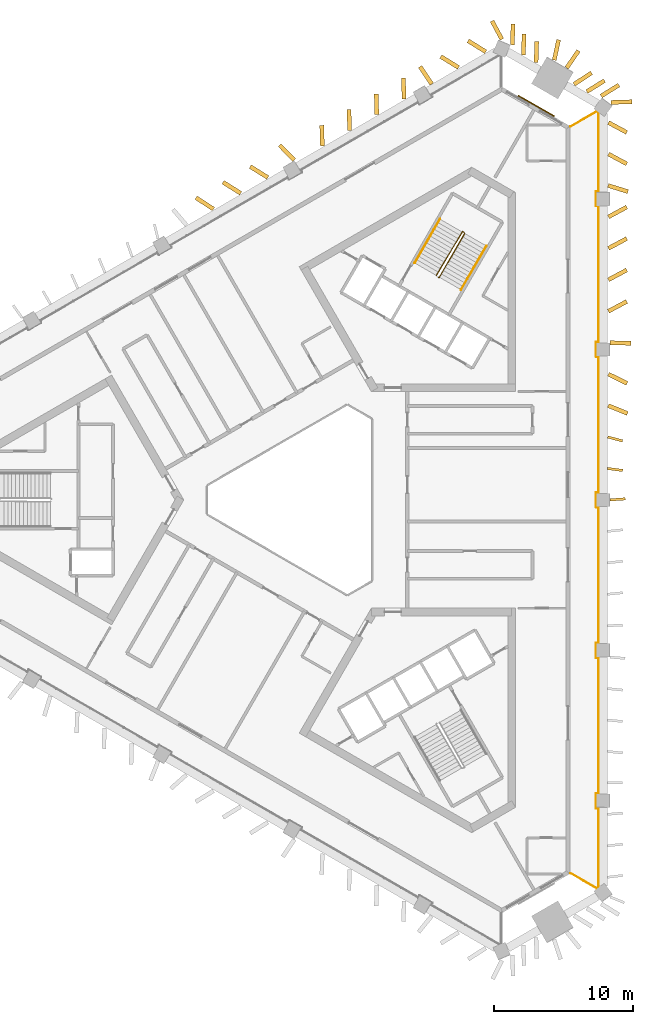
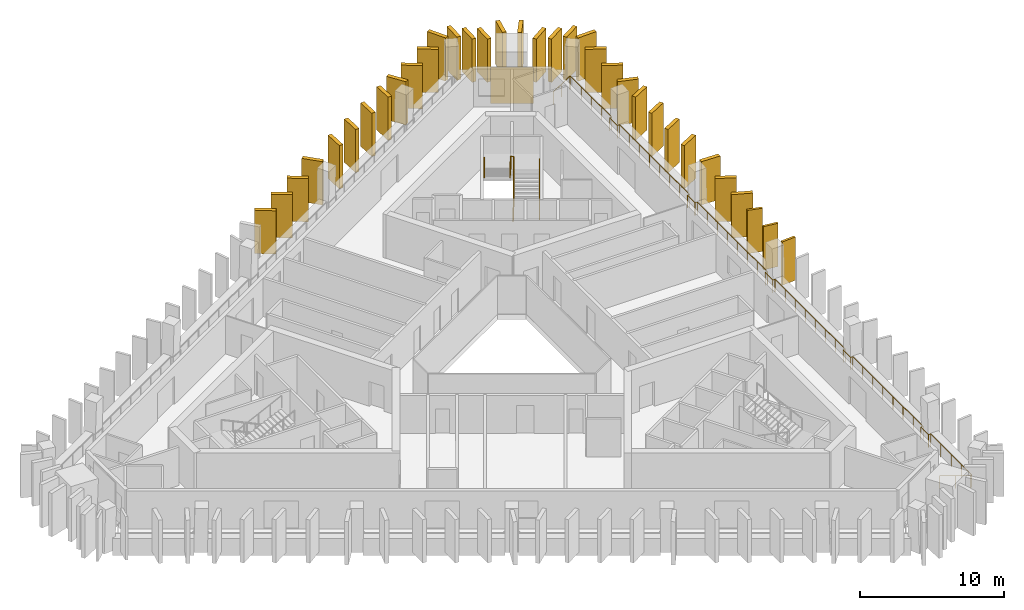
# One storey, part 9 of 9: 34 shading devices, 4 railings, 1 covering.
"""IFC4 building model written with IfcOpenShell, lengths in metres."""

from ifc_helpers import new_model, si_unit, direction, frame, frame_2d, origin, origin_2d, place, context, subcontext, project, spatial, rectangle, circle, extrude, material, layer, layer_set, type_object, element, save


model = new_model("IFC4")

# Units and contexts
model_context = context("Model", 3, precision=1e-05, world=origin(), true_north=direction((0.0, 1.0)))
body_context = subcontext(model_context, "Body", "Model", "MODEL_VIEW")
ifc_project = project(units=[si_unit("LENGTHUNIT", "METRE"), si_unit("AREAUNIT", "SQUARE_METRE"), si_unit("VOLUMEUNIT", "CUBIC_METRE"), si_unit("PLANEANGLEUNIT", "RADIAN"), si_unit("MASSUNIT", "GRAM", prefix="KILO")], contexts=[model_context])

# Site, building, storey
site_placement = place(None, origin())
site = spatial("IfcSite", under=ifc_project, at=site_placement, CompositionType="ELEMENT")
building_placement = place(site_placement, origin())
building = spatial("IfcBuilding", under=site, at=building_placement, Name="Jabali Bay Hotel Tower and Convention Centre", CompositionType="ELEMENT")
storey_placement = place(building_placement, frame((0.0, 0.0, 171.10009765625)))
storey = spatial("IfcBuildingStorey", under=building, at=storey_placement, Name="L41", CompositionType="ELEMENT", Elevation=171.10009765625)

# Railing
ifc_material_1 = material(Name="Glass", Category="glass")
railing_type_1 = type_object("IfcRailingType", Name="Loggia glass guard 1100", PredefinedType="BALUSTRADE", material=ifc_material_1)
railing_1_placement = place(storey_placement, frame((93.851318359375, 106.875244140625, 0.0)))
element("IfcRailing", 1, at=railing_1_placement, inside=storey, type_object=railing_type_1, Name="Loggia glass guard L41", PredefinedType="BALUSTRADE", context=body_context, shape_type="SweptSolid", body=[
    extrude(circle(Radius=0.02490234375, at=origin_2d()), frame((0.0, 0.0, 1.0751953125), z_axis=(0.866035418383, 0.499982653806, 0.0), x_axis=(-0.495705232892, 0.858626365323, 0.13052619222)), (0.0, 0.0, 1.0), 2.19287109375),
    extrude(circle(Radius=0.02490234375, at=origin_2d()), frame((1.899169921875, 1.096435546875, 1.0751953125), z_axis=(0.799767562016, -0.600309792313, 0.0), x_axis=(0.595174058821, 0.792925439655, 0.13052619222)), (0.0, 0.0, 1.0), 0.1259765625),
    extrude(circle(Radius=0.02490234375, at=origin_2d()), frame((2.0, 1.020751953125, 1.0751953125), z_axis=(0.0, -1.0, 0.0), x_axis=(0.991444861374, 0.0, 0.13052619222)), (0.0, 0.0, 1.0), 5.700439453125),
    extrude(circle(Radius=0.02490234375, at=origin_2d()), frame((2.0, -4.6796875, 1.0751953125), z_axis=(-1.0, 0.0, 0.0), x_axis=(0.0, -0.991444861374, 0.13052619222)), (0.0, 0.0, 1.0), 0.175048828125),
    extrude(circle(Radius=0.02490234375, at=origin_2d()), frame((1.824951171875, -4.6796875, 1.0751953125), z_axis=(0.0, -1.0, 0.0), x_axis=(0.991444861374, 0.0, 0.13052619222)), (0.0, 0.0, 1.0), 1.050048828125),
    extrude(circle(Radius=0.02490234375, at=origin_2d()), frame((1.824951171875, -5.729736328125, 1.0751953125), z_axis=(1.0, 0.0, 0.0), x_axis=(0.0, 0.991444861374, 0.13052619222)), (0.0, 0.0, 1.0), 0.175048828125),
    extrude(circle(Radius=0.02490234375, at=origin_2d()), frame((2.0, -5.729736328125, 1.0751953125), z_axis=(0.0, -1.0, 0.0), x_axis=(0.991444861374, 0.0, 0.13052619222)), (0.0, 0.0, 1.0), 9.78515625),
    extrude(circle(Radius=0.02490234375, at=origin_2d()), frame((2.0, -15.514892578125, 1.0751953125), z_axis=(-1.0, 0.0, 0.0), x_axis=(0.0, -0.991444861374, 0.13052619222)), (0.0, 0.0, 1.0), 0.175048828125),
    extrude(circle(Radius=0.02490234375, at=origin_2d()), frame((1.824951171875, -15.514892578125, 1.0751953125), z_axis=(0.0, -1.0, 0.0), x_axis=(0.991444861374, 0.0, 0.13052619222)), (0.0, 0.0, 1.0), 1.050048828125),
    extrude(circle(Radius=0.02490234375, at=origin_2d()), frame((1.824951171875, -16.56494140625, 1.0751953125), z_axis=(1.0, 0.0, 0.0), x_axis=(0.0, 0.991444861374, 0.13052619222)), (0.0, 0.0, 1.0), 0.175048828125),
    extrude(circle(Radius=0.02490234375, at=origin_2d()), frame((2.0, -16.56494140625, 1.0751953125), z_axis=(0.0, -1.0, 0.0), x_axis=(0.991444861374, 0.0, 0.13052619222)), (0.0, 0.0, 1.0), 9.785400390625),
    extrude(circle(Radius=0.02490234375, at=origin_2d()), frame((2.0, -26.350341796875, 1.0751953125), z_axis=(-1.0, 0.0, 0.0), x_axis=(0.0, -0.991444861374, 0.13052619222)), (0.0, 0.0, 1.0), 0.175048828125),
    extrude(circle(Radius=0.02490234375, at=origin_2d()), frame((1.824951171875, -26.350341796875, 1.0751953125), z_axis=(0.0, -1.0, 0.0), x_axis=(0.991444861374, 0.0, 0.13052619222)), (0.0, 0.0, 1.0), 1.0498046875),
    extrude(circle(Radius=0.02490234375, at=origin_2d()), frame((1.824951171875, -27.400146484375, 1.0751953125), z_axis=(1.0, 0.0, 0.0), x_axis=(0.0, 0.991444861374, 0.13052619222)), (0.0, 0.0, 1.0), 0.175048828125),
    extrude(circle(Radius=0.02490234375, at=origin_2d()), frame((2.0, -27.400146484375, 1.0751953125), z_axis=(0.0, -1.0, 0.0), x_axis=(0.991444861374, 0.0, 0.13052619222)), (0.0, 0.0, 1.0), 9.785400390625),
    extrude(circle(Radius=0.02490234375, at=origin_2d()), frame((2.0, -37.185546875, 1.0751953125), z_axis=(-1.0, 0.0, 0.0), x_axis=(0.0, -0.991444861374, 0.13052619222)), (0.0, 0.0, 1.0), 0.175048828125),
    extrude(circle(Radius=0.02490234375, at=origin_2d()), frame((1.824951171875, -37.185546875, 1.0751953125), z_axis=(0.0, -1.0, 0.0), x_axis=(0.991444861374, 0.0, 0.13052619222)), (0.0, 0.0, 1.0), 1.050048828125),
    extrude(circle(Radius=0.02490234375, at=origin_2d()), frame((1.824951171875, -38.235595703125, 1.0751953125), z_axis=(1.0, 0.0, 0.0), x_axis=(0.0, 0.991444861374, 0.13052619222)), (0.0, 0.0, 1.0), 0.175048828125),
    extrude(circle(Radius=0.02490234375, at=origin_2d()), frame((2.0, -38.235595703125, 1.0751953125), z_axis=(0.0, -1.0, 0.0), x_axis=(0.991444861374, 0.0, 0.13052619222)), (0.0, 0.0, 1.0), 9.78515625),
    extrude(circle(Radius=0.02490234375, at=origin_2d()), frame((2.0, -48.020751953125, 1.0751953125), z_axis=(-1.0, 0.0, 0.0), x_axis=(0.0, -0.991444861374, 0.13052619222)), (0.0, 0.0, 1.0), 0.175048828125),
    extrude(circle(Radius=0.02490234375, at=origin_2d()), frame((1.824951171875, -48.020751953125, 1.0751953125), z_axis=(0.0, -1.0, 0.0), x_axis=(0.991444861374, 0.0, 0.13052619222)), (0.0, 0.0, 1.0), 1.050048828125),
    extrude(circle(Radius=0.02490234375, at=origin_2d()), frame((1.824951171875, -49.07080078125, 1.0751953125), z_axis=(1.0, 0.0, 0.0), x_axis=(0.0, 0.991444861374, 0.13052619222)), (0.0, 0.0, 1.0), 0.175048828125),
    extrude(circle(Radius=0.02490234375, at=origin_2d()), frame((2.0, -49.07080078125, 1.0751953125), z_axis=(0.0, -1.0, 0.0), x_axis=(0.991444861374, 0.0, 0.13052619222)), (0.0, 0.0, 1.0), 5.700439453125),
    extrude(circle(Radius=0.02490234375, at=origin_2d()), frame((2.0, -54.771240234375, 1.0751953125), z_axis=(-0.799767562016, -0.600309792313, 0.0), x_axis=(0.595174058821, -0.792925439655, 0.13052619222)), (0.0, 0.0, 1.0), 0.1259765625),
    extrude(circle(Radius=0.02490234375, at=origin_2d()), frame((1.899169921875, -54.846923828125, 1.0751953125), z_axis=(-0.866035418383, 0.499982653806, 0.0), x_axis=(-0.495705232892, -0.858626365323, 0.13052619222)), (0.0, 0.0, 1.0), 2.19287109375),
    extrude(circle(Radius=0.02001953125, at=origin_2d()), origin(), (0.0, 0.0, 1.0), 1.050048828125),
    extrude(circle(Radius=0.02001953125, at=origin_2d()), frame((0.94970703125, 0.54833984375, 0.0)), (0.0, 0.0, 1.0), 1.050048828125),
    extrude(circle(Radius=0.02001953125, at=origin_2d()), frame((1.899169921875, 1.096435546875, 0.0)), (0.0, 0.0, 1.0), 1.050048828125),
    extrude(circle(Radius=0.02001953125, at=origin_2d()), frame((2.0, 1.020751953125, 0.0)), (0.0, 0.0, 1.0), 1.050048828125),
    extrude(circle(Radius=0.02001953125, at=origin_2d()), frame((2.0, -0.404296875, 0.0)), (0.0, 0.0, 1.0), 1.050048828125),
    extrude(circle(Radius=0.02001953125, at=origin_2d()), frame((2.0, -1.82958984375, 0.0)), (0.0, 0.0, 1.0), 1.050048828125),
    extrude(circle(Radius=0.02001953125, at=origin_2d()), frame((2.0, -3.254638671875, 0.0)), (0.0, 0.0, 1.0), 1.050048828125),
    extrude(circle(Radius=0.02001953125, at=origin_2d()), frame((2.0, -4.6796875, 0.0)), (0.0, 0.0, 1.0), 1.050048828125),
    extrude(circle(Radius=0.02001953125, at=origin_2d()), frame((1.824951171875, -4.6796875, 0.0)), (0.0, 0.0, 1.0), 1.050048828125),
    extrude(circle(Radius=0.02001953125, at=origin_2d()), frame((1.824951171875, -5.729736328125, 0.0)), (0.0, 0.0, 1.0), 1.050048828125),
    extrude(circle(Radius=0.02001953125, at=origin_2d()), frame((2.0, -5.729736328125, 0.0)), (0.0, 0.0, 1.0), 1.050048828125),
    extrude(circle(Radius=0.02001953125, at=origin_2d()), frame((2.0, -7.127685546875, 0.0)), (0.0, 0.0, 1.0), 1.050048828125),
    extrude(circle(Radius=0.02001953125, at=origin_2d()), frame((2.0, -8.525390625, 0.0)), (0.0, 0.0, 1.0), 1.050048828125),
    extrude(circle(Radius=0.02001953125, at=origin_2d()), frame((2.0, -9.92333984375, 0.0)), (0.0, 0.0, 1.0), 1.050048828125),
    extrude(circle(Radius=0.02001953125, at=origin_2d()), frame((2.0, -11.3212890625, 0.0)), (0.0, 0.0, 1.0), 1.050048828125),
    extrude(circle(Radius=0.02001953125, at=origin_2d()), frame((2.0, -12.71923828125, 0.0)), (0.0, 0.0, 1.0), 1.050048828125),
    extrude(circle(Radius=0.02001953125, at=origin_2d()), frame((2.0, -14.116943359375, 0.0)), (0.0, 0.0, 1.0), 1.050048828125),
    extrude(circle(Radius=0.02001953125, at=origin_2d()), frame((2.0, -15.514892578125, 0.0)), (0.0, 0.0, 1.0), 1.050048828125),
    extrude(circle(Radius=0.02001953125, at=origin_2d()), frame((1.824951171875, -15.514892578125, 0.0)), (0.0, 0.0, 1.0), 1.050048828125),
    extrude(circle(Radius=0.02001953125, at=origin_2d()), frame((1.824951171875, -16.56494140625, 0.0)), (0.0, 0.0, 1.0), 1.050048828125),
    extrude(circle(Radius=0.02001953125, at=origin_2d()), frame((2.0, -16.56494140625, 0.0)), (0.0, 0.0, 1.0), 1.050048828125),
    extrude(circle(Radius=0.02001953125, at=origin_2d()), frame((2.0, -17.962890625, 0.0)), (0.0, 0.0, 1.0), 1.050048828125),
    extrude(circle(Radius=0.02001953125, at=origin_2d()), frame((2.0, -19.36083984375, 0.0)), (0.0, 0.0, 1.0), 1.050048828125),
    extrude(circle(Radius=0.02001953125, at=origin_2d()), frame((2.0, -20.7587890625, 0.0)), (0.0, 0.0, 1.0), 1.050048828125),
    extrude(circle(Radius=0.02001953125, at=origin_2d()), frame((2.0, -22.156494140625, 0.0)), (0.0, 0.0, 1.0), 1.050048828125),
    extrude(circle(Radius=0.02001953125, at=origin_2d()), frame((2.0, -23.554443359375, 0.0)), (0.0, 0.0, 1.0), 1.050048828125),
    extrude(circle(Radius=0.02001953125, at=origin_2d()), frame((2.0, -24.952392578125, 0.0)), (0.0, 0.0, 1.0), 1.050048828125),
    extrude(circle(Radius=0.02001953125, at=origin_2d()), frame((2.0, -26.350341796875, 0.0)), (0.0, 0.0, 1.0), 1.050048828125),
    extrude(circle(Radius=0.02001953125, at=origin_2d()), frame((1.824951171875, -26.350341796875, 0.0)), (0.0, 0.0, 1.0), 1.050048828125),
    extrude(circle(Radius=0.02001953125, at=origin_2d()), frame((1.824951171875, -27.400146484375, 0.0)), (0.0, 0.0, 1.0), 1.050048828125),
    extrude(circle(Radius=0.02001953125, at=origin_2d()), frame((2.0, -27.400146484375, 0.0)), (0.0, 0.0, 1.0), 1.050048828125),
    extrude(circle(Radius=0.02001953125, at=origin_2d()), frame((2.0, -28.798095703125, 0.0)), (0.0, 0.0, 1.0), 1.050048828125),
    extrude(circle(Radius=0.02001953125, at=origin_2d()), frame((2.0, -30.196044921875, 0.0)), (0.0, 0.0, 1.0), 1.050048828125),
    extrude(circle(Radius=0.02001953125, at=origin_2d()), frame((2.0, -31.593994140625, 0.0)), (0.0, 0.0, 1.0), 1.050048828125),
    extrude(circle(Radius=0.02001953125, at=origin_2d()), frame((2.0, -32.99169921875, 0.0)), (0.0, 0.0, 1.0), 1.050048828125),
    extrude(circle(Radius=0.02001953125, at=origin_2d()), frame((2.0, -34.3896484375, 0.0)), (0.0, 0.0, 1.0), 1.050048828125),
    extrude(circle(Radius=0.02001953125, at=origin_2d()), frame((2.0, -35.78759765625, 0.0)), (0.0, 0.0, 1.0), 1.050048828125),
    extrude(circle(Radius=0.02001953125, at=origin_2d()), frame((2.0, -37.185546875, 0.0)), (0.0, 0.0, 1.0), 1.050048828125),
    extrude(circle(Radius=0.02001953125, at=origin_2d()), frame((1.824951171875, -37.185546875, 0.0)), (0.0, 0.0, 1.0), 1.050048828125),
    extrude(circle(Radius=0.02001953125, at=origin_2d()), frame((1.824951171875, -38.235595703125, 0.0)), (0.0, 0.0, 1.0), 1.050048828125),
    extrude(circle(Radius=0.02001953125, at=origin_2d()), frame((2.0, -38.235595703125, 0.0)), (0.0, 0.0, 1.0), 1.050048828125),
    extrude(circle(Radius=0.02001953125, at=origin_2d()), frame((2.0, -39.633544921875, 0.0)), (0.0, 0.0, 1.0), 1.050048828125),
    extrude(circle(Radius=0.02001953125, at=origin_2d()), frame((2.0, -41.03125, 0.0)), (0.0, 0.0, 1.0), 1.050048828125),
    extrude(circle(Radius=0.02001953125, at=origin_2d()), frame((2.0, -42.42919921875, 0.0)), (0.0, 0.0, 1.0), 1.050048828125),
    extrude(circle(Radius=0.02001953125, at=origin_2d()), frame((2.0, -43.8271484375, 0.0)), (0.0, 0.0, 1.0), 1.050048828125),
    extrude(circle(Radius=0.02001953125, at=origin_2d()), frame((2.0, -45.22509765625, 0.0)), (0.0, 0.0, 1.0), 1.050048828125),
    extrude(circle(Radius=0.02001953125, at=origin_2d()), frame((2.0, -46.622802734375, 0.0)), (0.0, 0.0, 1.0), 1.050048828125),
    extrude(circle(Radius=0.02001953125, at=origin_2d()), frame((2.0, -48.020751953125, 0.0)), (0.0, 0.0, 1.0), 1.050048828125),
    extrude(circle(Radius=0.02001953125, at=origin_2d()), frame((1.824951171875, -48.020751953125, 0.0)), (0.0, 0.0, 1.0), 1.050048828125),
    extrude(circle(Radius=0.02001953125, at=origin_2d()), frame((1.824951171875, -49.07080078125, 0.0)), (0.0, 0.0, 1.0), 1.050048828125),
    extrude(circle(Radius=0.02001953125, at=origin_2d()), frame((2.0, -49.07080078125, 0.0)), (0.0, 0.0, 1.0), 1.050048828125),
    extrude(circle(Radius=0.02001953125, at=origin_2d()), frame((2.0, -50.495849609375, 0.0)), (0.0, 0.0, 1.0), 1.050048828125),
    extrude(circle(Radius=0.02001953125, at=origin_2d()), frame((2.0, -51.9208984375, 0.0)), (0.0, 0.0, 1.0), 1.050048828125),
    extrude(circle(Radius=0.02001953125, at=origin_2d()), frame((2.0, -53.34619140625, 0.0)), (0.0, 0.0, 1.0), 1.050048828125),
    extrude(circle(Radius=0.02001953125, at=origin_2d()), frame((2.0, -54.771240234375, 0.0)), (0.0, 0.0, 1.0), 1.050048828125),
    extrude(circle(Radius=0.02001953125, at=origin_2d()), frame((1.899169921875, -54.846923828125, 0.0)), (0.0, 0.0, 1.0), 1.050048828125),
    extrude(circle(Radius=0.02001953125, at=origin_2d()), frame((0.94970703125, -54.298828125, 0.0)), (0.0, 0.0, 1.0), 1.050048828125),
    extrude(circle(Radius=0.02001953125, at=origin_2d()), frame((0.0, -53.75048828125, 0.0)), (0.0, 0.0, 1.0), 1.050048828125),
])

# Shading devices
ifc_material_2 = material(Name="Precast concrete C60", Category="concrete")
ifc_layer_1 = layer(ifc_material_2, 0.179931640625)
ifc_layer_set_1 = layer_set([ifc_layer_1], Name="Precast concrete C60")
shading_device_type_1 = type_object("IfcShadingDeviceType", Name="Precast fin 3680 x 1100", PredefinedType="USERDEFINED", material=ifc_layer_set_1)
shading_device_1_placement = place(storey_placement, frame((96.682373046875, 80.0, 0.010009765625), z_axis=(0.0, 0.0, 1.0), x_axis=(0.997599763735, 0.069243854568, 0.0)))
element("IfcShadingDevice", 2, at=shading_device_1_placement, inside=storey, type_object=shading_device_type_1, Name="Fin L41 012", ObjectType="FIN", PredefinedType="USERDEFINED", context=body_context, shape_type="SweptSolid", body=[
    extrude(rectangle(XDim=1.10009765625, YDim=0.179931640625, at=frame_2d((0.550048828125, 0.0))), origin(), (0.0, 0.0, 1.0), 3.679931640625),
])
shading_device_2_placement = place(storey_placement, frame((96.505615234375, 82.26318359375, 0.010009765625), z_axis=(0.0, 0.0, 1.0), x_axis=(0.991241464629, -0.132061950617, 0.0)))
element("IfcShadingDevice", 3, at=shading_device_2_placement, inside=storey, type_object=shading_device_type_1, Name="Fin L41 013", ObjectType="FIN", PredefinedType="USERDEFINED", context=body_context, shape_type="SweptSolid", body=[
    extrude(rectangle(XDim=1.099853515625, YDim=0.179931640625, at=frame_2d((0.5498046875, 0.0))), origin(), (0.0, 0.0, 1.0), 3.679931640625),
])
shading_device_3_placement = place(storey_placement, frame((96.516845703125, 84.5263671875, 0.010009765625), z_axis=(0.0, 0.0, 1.0), x_axis=(0.966818172405, -0.255465499642, 0.0)))
element("IfcShadingDevice", 4, at=shading_device_3_placement, inside=storey, type_object=shading_device_type_1, Name="Fin L41 014", ObjectType="FIN", PredefinedType="USERDEFINED", context=body_context, shape_type="SweptSolid", body=[
    extrude(rectangle(XDim=1.10009765625, YDim=0.179931640625, at=frame_2d((0.550048828125, 0.0))), origin(), (0.0, 0.0, 1.0), 3.679931640625),
])
ifc_layer_2 = layer(ifc_material_2, 0.300048828125)
ifc_layer_set_2 = layer_set([ifc_layer_2], Name="Precast concrete C60")
shading_device_type_2 = type_object("IfcShadingDeviceType", Name="Precast fin 3680 x 1500", PredefinedType="USERDEFINED", material=ifc_layer_set_2)
for number, where, z_axis, x_axis, name in (
    (5, (96.55029296875, 86.78955078125, 0.010009765625), (0.0, 0.0, 1.0), (0.926294438084, -0.376800496251, 0.0), "Fin L41 015"),
    (6, (96.560546875, 89.052734375, 0.010009765625), (0.0, 0.0, 1.0), (0.89569315017, -0.444672666957, 0.0), "Fin L41 016"),
    (7, (96.6806640625, 91.31591796875, 0.010009765625), (0.0, 0.0, 1.0), (0.999546539163, -0.030111726062, 0.0), "Fin L41 017"),
    (8, (96.564453125, 93.5791015625, 0.010009765625), (0.0, 0.0, 1.0), (0.881956165036, 0.471331436417, 0.0), "Fin L41 018"),
    (9, (96.564697265625, 95.84228515625, 0.010009765625), (0.0, 0.0, 1.0), (0.881233033926, 0.472682070654, 0.0), "Fin L41 019"),
    (10, (96.564697265625, 98.10546875, 0.010009765625), (0.0, 0.0, 1.0), (0.881061009287, 0.473002640493, 0.0), "Fin L41 020"),
    (11, (96.564697265625, 100.36865234375, 0.010009765625), (0.0, 0.0, 1.0), (0.881061009287, 0.473002640493, 0.0), "Fin L41 021"),
    (12, (96.5380859375, 102.6318359375, 0.010009765625), (0.0, 0.0, 1.0), (0.955175275685, -0.29604086326, 0.0), "Fin L41 022"),
    (13, (96.564697265625, 104.89501953125, 0.010009765625), (0.0, 0.0, 1.0), (0.881061009287, -0.473002640493, 0.0), "Fin L41 023"),
    (14, (96.564697265625, 107.158203125, 0.010009765625), (0.0, 0.0, 1.0), (0.881061009287, -0.473002640493, 0.0), "Fin L41 024"),
    (15, (96.043212890625, 109.06982421875, 0.010009765625), (0.0, 0.0, 1.0), (0.850140244576, 0.526556326097, 0.0), "Fin L41 025"),
):
    element("IfcShadingDevice", number, at=place(storey_placement, frame(where, z_axis=z_axis, x_axis=x_axis)), inside=storey, type_object=shading_device_type_2, Name=name, ObjectType="FIN", PredefinedType="USERDEFINED", context=body_context, shape_type="SweptSolid", body=[
        extrude(rectangle(XDim=1.5, YDim=0.300048828125, at=frame_2d((0.75, 0.0))), origin(), (0.0, 0.0, 1.0), 3.679931640625),
    ])
shading_device_4_placement = place(storey_placement, frame((95.010986328125, 109.39013671875, 0.010009765625), z_axis=(0.0, 0.0, 1.0), x_axis=(0.850185364679, 0.526483471427, 0.0)))
element("IfcShadingDevice", 16, at=shading_device_4_placement, inside=storey, type_object=shading_device_type_2, Name="Fin L41 026", ObjectType="FIN", PredefinedType="USERDEFINED", context=body_context, shape_type="SweptSolid", body=[
    extrude(rectangle(XDim=1.500244140625, YDim=0.300048828125, at=frame_2d((0.75, 0.0))), origin(), (0.0, 0.0, 1.0), 3.679931640625),
])
shading_device_5_placement = place(storey_placement, frame((94.09619140625, 109.913818359375, 0.010009765625), z_axis=(0.0, 0.0, 1.0), x_axis=(0.834769495926, 0.550599571986, 0.0)))
element("IfcShadingDevice", 17, at=shading_device_5_placement, inside=storey, type_object=shading_device_type_2, Name="Fin L41 027", ObjectType="FIN", PredefinedType="USERDEFINED", context=body_context, shape_type="SweptSolid", body=[
    extrude(rectangle(XDim=1.5, YDim=0.300048828125, at=frame_2d((0.75, 0.0))), origin(), (0.0, 0.0, 1.0), 3.679931640625),
])
shading_device_6_placement = place(storey_placement, frame((93.562255859375, 111.0966796875, 0.010009765625), z_axis=(0.0, 0.0, 1.0), x_axis=(0.567108974027, 0.823642769396, 0.0)))
element("IfcShadingDevice", 18, at=shading_device_6_placement, inside=storey, type_object=shading_device_type_2, Name="Fin L41 028", ObjectType="FIN", PredefinedType="USERDEFINED", context=body_context, shape_type="SweptSolid", body=[
    extrude(rectangle(XDim=1.499755859375, YDim=0.300048828125, at=frame_2d((0.75, 0.0))), origin(), (0.0, 0.0, 1.0), 3.679931640625),
])
for number, where, z_axis, x_axis, name in (
    (19, (92.66650390625, 111.6533203125, 0.010009765625), (0.0, 0.0, 1.0), (0.208806586078, 0.977956956931, 0.0), "Fin L41 029"),
    (20, (91.35986328125, 111.498046875, 0.010009765625), (0.0, 0.0, 1.0), (0.030924788426, 0.999521714352, 0.0), "Fin L41 030"),
    (21, (90.447021484375, 112.025146484375, 0.010009765625), (0.0, 0.0, 1.0), (0.030924788426, 0.999521714352, 0.0), "Fin L41 031"),
    (22, (89.653564453125, 112.7587890625, 0.010009765625), (0.0, 0.0, 1.0), (0.030924788426, 0.999521714352, 0.0), "Fin L41 032"),
    (23, (87.7373046875, 112.254638671875, 0.010009765625), (0.0, 0.0, 1.0), (-0.850140244576, 0.526556326097, 0.0), "Fin L41 033"),
    (24, (85.77734375, 111.123046875, 0.010009765625), (0.0, 0.0, 1.0), (-0.850140244576, 0.526556326097, 0.0), "Fin L41 034"),
    (25, (83.84765625, 109.939208984375, 0.010009765625), (0.0, 0.0, 1.0), (-0.559573484767, 0.828780740091, 0.0), "Fin L41 035"),
    (26, (81.857421875, 108.85986328125, 0.010009765625), (0.0, 0.0, 1.0), (-0.030924788426, 0.999521714352, 0.0), "Fin L41 036"),
    (27, (79.8974609375, 107.728271484375, 0.010009765625), (0.0, 0.0, 1.0), (-0.030924788426, 0.999521714352, 0.0), "Fin L41 037"),
    (28, (77.9375, 106.5966796875, 0.010009765625), (0.0, 0.0, 1.0), (-0.030924788426, 0.999521714352, 0.0), "Fin L41 038"),
    (29, (75.9775390625, 105.465087890625, 0.010009765625), (0.0, 0.0, 1.0), (-0.030924788426, 0.999521714352, 0.0), "Fin L41 039"),
    (30, (73.943603515625, 104.461669921875, 0.010009765625), (0.0, 0.0, 1.0), (-0.695622025782, 0.718407960178, 0.0), "Fin L41 040"),
):
    element("IfcShadingDevice", number, at=place(storey_placement, frame(where, z_axis=z_axis, x_axis=x_axis)), inside=storey, type_object=shading_device_type_2, Name=name, ObjectType="FIN", PredefinedType="USERDEFINED", context=body_context, shape_type="SweptSolid", body=[
        extrude(rectangle(XDim=1.5, YDim=0.300048828125, at=frame_2d((0.75, 0.0))), origin(), (0.0, 0.0, 1.0), 3.679931640625),
    ])
shading_device_7_placement = place(storey_placement, frame((72.0576171875, 103.201904296875, 0.010009765625), z_axis=(0.0, 0.0, 1.0), x_axis=(-0.849521940973, 0.527553288119, 0.0)))
element("IfcShadingDevice", 31, at=shading_device_7_placement, inside=storey, type_object=shading_device_type_2, Name="Fin L41 041", ObjectType="FIN", PredefinedType="USERDEFINED", context=body_context, shape_type="SweptSolid", body=[
    extrude(rectangle(XDim=1.499755859375, YDim=0.300048828125, at=frame_2d((0.75, 0.0))), origin(), (0.0, 0.0, 1.0), 3.679931640625),
])
for number, where, z_axis, x_axis, name in (
    (32, (70.097900390625, 102.06982421875, 0.010009765625), (0.0, 0.0, 1.0), (-0.847394215282, 0.530964258596, 0.0), "Fin L41 042"),
    (33, (68.138916015625, 100.936279296875, 0.010009765625), (0.0, 0.0, 1.0), (-0.838577466446, 0.544782371932, 0.0), "Fin L41 043"),
    (34, (96.7587890625, 108.611572265625, 0.010009765625), (0.0, 0.0, 1.0), (0.999521714352, 0.030924788426, 0.0), "Fin L41 100"),
):
    element("IfcShadingDevice", number, at=place(storey_placement, frame(where, z_axis=z_axis, x_axis=x_axis)), inside=storey, type_object=shading_device_type_2, Name=name, ObjectType="FIN", PredefinedType="USERDEFINED", context=body_context, shape_type="SweptSolid", body=[
        extrude(rectangle(XDim=1.5, YDim=0.300048828125, at=frame_2d((0.75, 0.0))), origin(), (0.0, 0.0, 1.0), 3.679931640625),
    ])
shading_device_8_placement = place(storey_placement, frame((88.89892578125, 113.1494140625, 0.010009765625), z_axis=(0.0, 0.0, 1.0), x_axis=(-0.472934816368, 0.881097417694, 0.0)))
element("IfcShadingDevice", 35, at=shading_device_8_placement, inside=storey, type_object=shading_device_type_2, Name="Fin L41 101", ObjectType="FIN", PredefinedType="USERDEFINED", context=body_context, shape_type="SweptSolid", body=[
    extrude(rectangle(XDim=1.500244140625, YDim=0.300048828125, at=frame_2d((0.75, 0.0))), origin(), (0.0, 0.0, 1.0), 3.679931640625),
])

# Covering
ifc_material_3 = material(Name="Precast concrete C40/50", Category="concrete")
ifc_layer_3 = layer(ifc_material_3, 0.080078125)
ifc_layer_set_3 = layer_set([ifc_layer_3], Name="Precast concrete C40/50")
covering_type = type_object("IfcCoveringType", Name="Relief panel 3000 x 3050", PredefinedType="CLADDING", material=ifc_layer_set_3)
covering_placement = place(storey_placement, frame((91.3701171875, 108.35400390625, 0.10009765625), z_axis=(0.0, 0.0, 1.0), x_axis=(0.866025439145, -0.499999938754, 0.0)))
element("IfcCovering", 36, at=covering_placement, inside=storey, type_object=covering_type, Name="Relief panel L41", PredefinedType="CLADDING", context=body_context, shape_type="SweptSolid", body=[
    extrude(rectangle(XDim=3.0, YDim=0.080078125, at=origin_2d()), origin(), (0.0, 0.0, 1.0), 3.050048828125),
])

# Railings
ifc_material_4 = material(Name="Steel Q355B", Category="steel")
railing_type_2 = type_object("IfcRailingType", Name="Stair guard 1100", PredefinedType="GUARDRAIL", material=ifc_material_4)
railing_2_placement = place(storey_placement, frame((84.329833984375, 96.010009765625, 0.0)))
element("IfcRailing", 37, at=railing_2_placement, inside=storey, type_object=railing_type_2, Name="L41 ST2 stair guard 1", PredefinedType="GUARDRAIL", context=body_context, shape_type="SweptSolid", body=[
    extrude(circle(Radius=0.02392578125, at=origin_2d()), frame((0.0, 0.0, 1.076171875), z_axis=(0.456201556387, 0.122196845461, 0.881446578591), x_axis=(-0.258736085224, 0.965948051503, 0.0)), (0.0, 0.0, 1.0), 0.14990234375),
    extrude(circle(Radius=0.02392578125, at=origin_2d()), frame((0.068359375, 0.018310546875, 1.2080078125), z_axis=(0.452190331055, 0.783190014029, 0.426775475427), x_axis=(-0.866018046521, 0.500012742938, 0.0)), (0.0, 0.0, 1.0), 4.02490234375),
    extrude(circle(Radius=0.02392578125, at=origin_2d()), frame((1.888427734375, 3.170654296875, 2.92578125), z_axis=(-0.718850276695, 0.695164929852, 0.0), x_axis=(-0.695164929852, -0.718850276695, 0.0)), (0.0, 0.0, 1.0), 0.2060546875),
    extrude(circle(Radius=0.02392578125, at=origin_2d()), frame((1.740234375, 3.31396484375, 2.92578125), z_axis=(-0.457445338502, -0.768046879266, 0.448160410493), x_axis=(0.859157857954, -0.511710636118, 0.0)), (0.0, 0.0, 1.0), 4.128173828125),
    extrude(circle(Radius=0.02099609375, at=origin_2d()), origin(), (0.0, 0.0, 1.0), 1.052001953125),
    extrude(circle(Radius=0.02099609375, at=origin_2d()), frame((0.068359375, 0.018310546875, 0.132080078125)), (0.0, 0.0, 1.0), 1.052001953125),
    extrude(circle(Radius=0.02099609375, at=origin_2d()), frame((0.5234375, 0.806396484375, 0.5615234375)), (0.0, 0.0, 1.0), 1.052001953125),
    extrude(circle(Radius=0.02099609375, at=origin_2d()), frame((0.978515625, 1.594482421875, 0.990966796875)), (0.0, 0.0, 1.0), 1.052001953125),
    extrude(circle(Radius=0.02099609375, at=origin_2d()), frame((1.433349609375, 2.382568359375, 1.42041015625)), (0.0, 0.0, 1.0), 1.052001953125),
    extrude(circle(Radius=0.02099609375, at=origin_2d()), frame((1.888427734375, 3.170654296875, 1.849853515625)), (0.0, 0.0, 1.0), 1.052001953125),
    extrude(circle(Radius=0.02099609375, at=origin_2d()), frame((1.740234375, 3.31396484375, 1.849853515625)), (0.0, 0.0, 1.0), 1.052001953125),
    extrude(circle(Radius=0.02099609375, at=origin_2d()), frame((1.26806640625, 2.521240234375, 2.3125)), (0.0, 0.0, 1.0), 1.052001953125),
    extrude(circle(Radius=0.02099609375, at=origin_2d()), frame((0.7958984375, 1.728515625, 2.77490234375)), (0.0, 0.0, 1.0), 1.052001953125),
    extrude(circle(Radius=0.02099609375, at=origin_2d()), frame((0.323974609375, 0.93603515625, 3.2373046875)), (0.0, 0.0, 1.0), 1.052001953125),
    extrude(circle(Radius=0.02099609375, at=origin_2d()), frame((-0.148193359375, 0.143310546875, 3.699951171875)), (0.0, 0.0, 1.0), 1.052001953125),
])
railing_type_3 = type_object("IfcRailingType", Name="Stair handrail 900", PredefinedType="HANDRAIL", material=ifc_material_4)
railing_3_placement = place(storey_placement, frame((85.95703125, 95.128173828125, 0.132080078125)))
element("IfcRailing", 38, at=railing_3_placement, inside=storey, type_object=railing_type_3, Name="L41 ST2 stair handrail 1", PredefinedType="HANDRAIL", context=body_context, shape_type="SweptSolid", body=[
    extrude(circle(Radius=0.02392578125, at=origin_2d()), frame((0.0, 0.0, 0.8759765625), z_axis=(0.452190331055, 0.783190014029, 0.426775475427), x_axis=(-0.866018046521, 0.500012742938, 0.0)), (0.0, 0.0, 1.0), 4.02490234375),
    extrude(circle(Radius=0.02099609375, at=origin_2d()), origin(), (0.0, 0.0, 1.0), 0.851806640625),
    extrude(circle(Radius=0.02099609375, at=origin_2d()), frame((0.455078125, 0.7880859375, 0.429443359375)), (0.0, 0.0, 1.0), 0.851806640625),
    extrude(circle(Radius=0.02099609375, at=origin_2d()), frame((0.91015625, 1.576171875, 0.85888671875)), (0.0, 0.0, 1.0), 0.851806640625),
    extrude(circle(Radius=0.02099609375, at=origin_2d()), frame((1.364990234375, 2.3642578125, 1.288330078125)), (0.0, 0.0, 1.0), 0.851806640625),
    extrude(circle(Radius=0.02099609375, at=origin_2d()), frame((1.820068359375, 3.15234375, 1.7177734375)), (0.0, 0.0, 1.0), 0.851806640625),
])
railing_4_placement = place(storey_placement, frame((84.44287109375, 100.20556640625, 1.98193359375)))
element("IfcRailing", 39, at=railing_4_placement, inside=storey, type_object=railing_type_3, Name="L41 ST2 stair handrail 2", PredefinedType="HANDRAIL", context=body_context, shape_type="SweptSolid", body=[
    extrude(circle(Radius=0.02392578125, at=origin_2d()), frame((0.0, 0.0, 0.8759765625), z_axis=(-0.45217862506, -0.783169739339, 0.426825081763), x_axis=(0.866018046521, -0.500012742938, 0.0)), (0.0, 0.0, 1.0), 4.025146484375),
    extrude(circle(Radius=0.02099609375, at=origin_2d()), origin(), (0.0, 0.0, 1.0), 0.851806640625),
    extrude(circle(Radius=0.02099609375, at=origin_2d()), frame((-0.455078125, -0.7880859375, 0.429443359375)), (0.0, 0.0, 1.0), 0.851806640625),
    extrude(circle(Radius=0.02099609375, at=origin_2d()), frame((-0.91015625, -1.576171875, 0.85888671875)), (0.0, 0.0, 1.0), 0.851806640625),
    extrude(circle(Radius=0.02099609375, at=origin_2d()), frame((-1.364990234375, -2.3642578125, 1.28857421875)), (0.0, 0.0, 1.0), 0.851806640625),
    extrude(circle(Radius=0.02099609375, at=origin_2d()), frame((-1.820068359375, -3.15234375, 1.718017578125)), (0.0, 0.0, 1.0), 0.851806640625),
])

save(model, "model.ifc")
